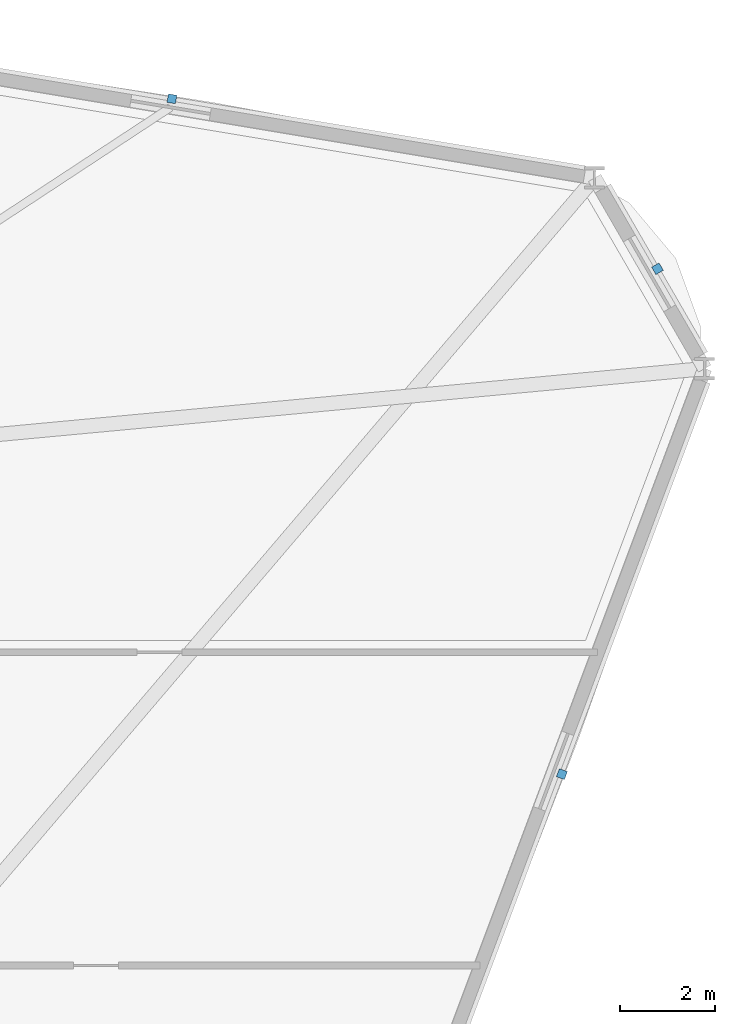
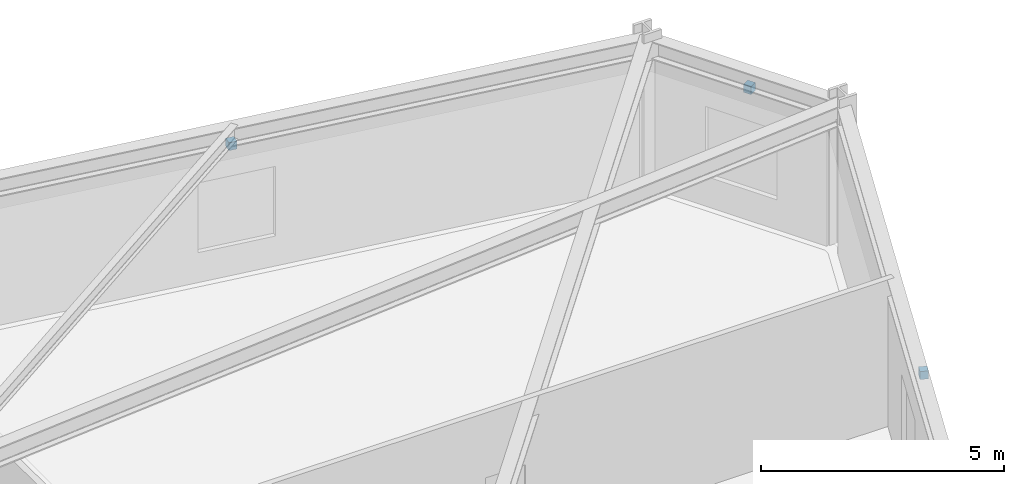
# One storey, part 18 of 21: 3 discrete accessories.
"""IFC4 building model written with IfcOpenShell, lengths in metres."""

from ifc_helpers import new_model, si_unit, derived_unit, direction, frame, origin, origin_2d, place, context, subcontext, project, spatial, rectangle, extrude, source, transform, mapped, material, type_object, element, save


model = new_model("IFC4")

# Units and contexts
model_context = context("Model", 3, precision=1e-05, world=origin(), true_north=direction((0.0, 1.0)))
body_context = subcontext(model_context, "Body", "Model", "MODEL_VIEW")
ifc_project = project(units=[si_unit("LENGTHUNIT", "METRE"), si_unit("AREAUNIT", "SQUARE_METRE"), si_unit("VOLUMEUNIT", "CUBIC_METRE"), si_unit("PLANEANGLEUNIT", "RADIAN"), si_unit("MASSUNIT", "GRAM", prefix="KILO"), derived_unit("THERMALTRANSMITTANCEUNIT", [(si_unit("POWERUNIT", "WATT"), 1), (si_unit("LENGTHUNIT", "METRE"), -2), (si_unit("THERMODYNAMICTEMPERATUREUNIT", "KELVIN"), -1)])], contexts=[model_context])

# Site, building, storey
site_placement = place(None, origin())
site = spatial("IfcSite", under=ifc_project, at=site_placement, CompositionType="ELEMENT")
building_placement = place(site_placement, origin())
building = spatial("IfcBuilding", under=site, at=building_placement, Name="Korsvarv Bourse and Concert Hall", CompositionType="ELEMENT")
storey_placement = place(building_placement, frame((0.0, 0.0, 63.89990234375)))
storey = spatial("IfcBuildingStorey", under=building, at=storey_placement, Name="L15", CompositionType="ELEMENT", Elevation=63.89990234375)

# Discrete accessories
ifc_material = material(Name="Stainless Steel S355 facade outrigger bracket", Category="steel")
discrete_accessory_type = type_object("IfcDiscreteAccessoryType", Name="ACC-BRK-1", PredefinedType="BRACKET", material=ifc_material)
shared_shape = source(origin(), body_context, "Body", "SweptSolid", [
    extrude(rectangle(XDim=0.179931640625, YDim=0.179931640625, at=origin_2d()), origin(), (0.0, 0.0, 1.0), 0.199951171875),
])
for number, where, z_axis, x_axis, name in (
    (1, (67.021728515625, 51.485595703125, 2.97021484375), (0.0, 0.0, 1.0), (-0.5, 0.866025403784, 0.0), "L15 terracotta sunshade bracket EW-L15-B01"),
    (2, (56.791748046875, 55.0654296875, 2.97021484375), (0.0, 0.0, 1.0), (-0.986400586142, 0.164359008451, 0.0), "L15 terracotta sunshade bracket EW-L15-B02"),
    (3, (65.007080078125, 40.836181640625, 2.97021484375), (0.0, 0.0, 1.0), (0.350861216412, 0.936427470132, 0.0), "L15 terracotta sunshade bracket EW-L15-B12"),
):
    element("IfcDiscreteAccessory", number, at=place(storey_placement, frame(where, z_axis=z_axis, x_axis=x_axis)), inside=storey, type_object=discrete_accessory_type, Name=name, PredefinedType="BRACKET", context=body_context, shape_type="MappedRepresentation", body=[
        mapped(shared_shape, transform((0.0, 0.0, 0.0), scale=1.0)),
    ])

save(model, "model.ifc")
